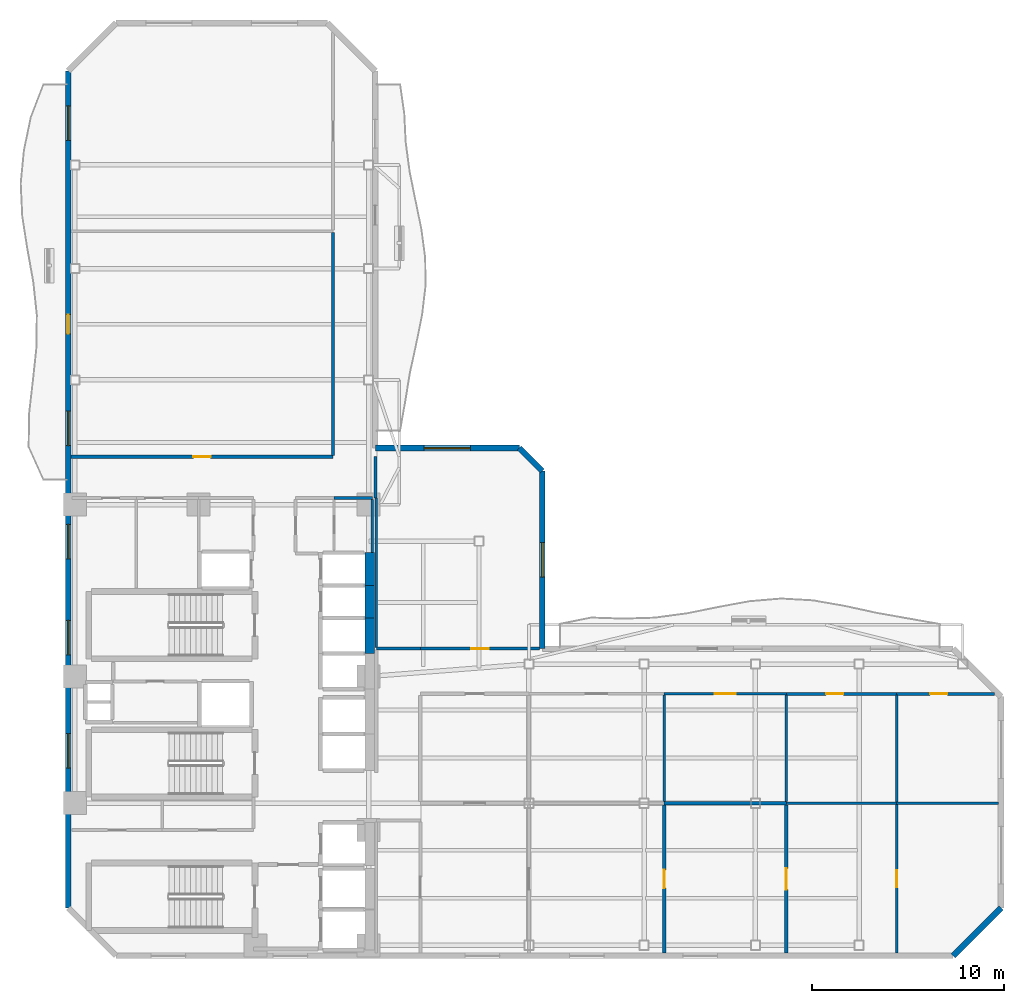
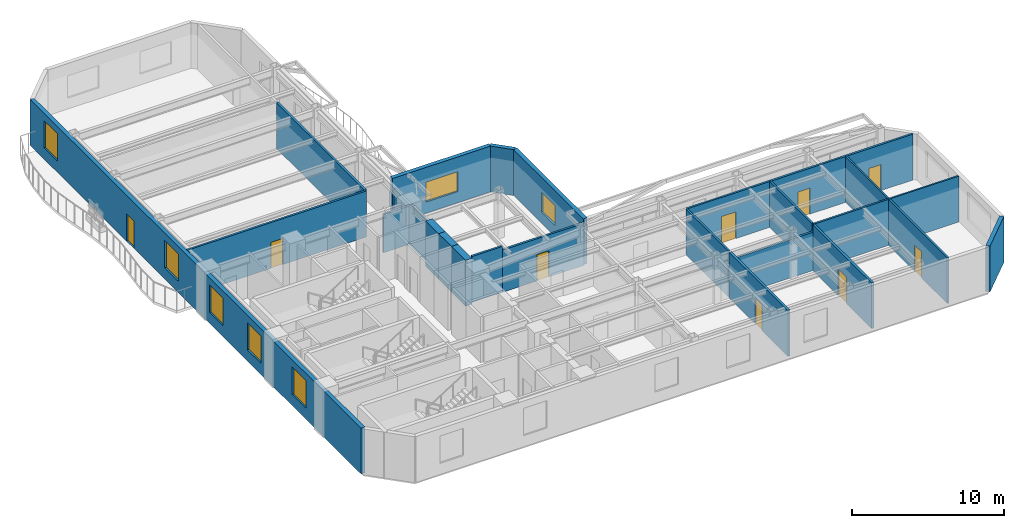
# One storey, part 5 of 9: 28 walls, 9 doors, 7 windows, 16 openings.
"""IFC4 building model written with IfcOpenShell, lengths in metres."""

from ifc_helpers import new_model, si_unit, direction, frame, frame_2d, origin, place, context, subcontext, project, spatial, rectangle, extrude, material, layer, layer_set, type_object, element, fill, save


model = new_model("IFC4")

# Units and contexts
model_context = context("Model", 3, precision=1e-05, world=origin(), true_north=direction((0.0, 1.0)))
body_context = subcontext(model_context, "Body", "Model", "MODEL_VIEW")
ifc_project = project(units=[si_unit("LENGTHUNIT", "METRE"), si_unit("AREAUNIT", "SQUARE_METRE"), si_unit("VOLUMEUNIT", "CUBIC_METRE"), si_unit("PLANEANGLEUNIT", "RADIAN"), si_unit("MASSUNIT", "GRAM", prefix="KILO")], contexts=[model_context])

# Site, building, storey
site_placement = place(None, origin())
site = spatial("IfcSite", under=ifc_project, at=site_placement, CompositionType="ELEMENT")
building_placement = place(site_placement, origin())
building = spatial("IfcBuilding", under=site, at=building_placement, Name="Mawjaban Terraces University", CompositionType="ELEMENT")
storey_placement = place(building_placement, frame((0.0, 0.0, 138.5)))
storey = spatial("IfcBuildingStorey", under=building, at=storey_placement, Name="L33", CompositionType="ELEMENT", Elevation=138.5)

# Wall
ifc_material_1 = material(Name="Acoustic masonry blockwork", Category="masonry")
ifc_layer_1 = layer(ifc_material_1, 0.179931640625)
ifc_layer_set_1 = layer_set([ifc_layer_1], Name="Acoustic masonry blockwork")
wall_type_1 = type_object("IfcWallType", Name="AcousticStudioWall_180", PredefinedType="PARTITIONING", material=ifc_layer_set_1)
wall_1_placement = place(storey_placement, frame((59.409912109375, 7.949951171875, 0.0), z_axis=(0.0, 0.0, 1.0), x_axis=(-1.0, 0.0, 0.0)))
element("IfcWall", 1, at=wall_1_placement, inside=storey, type_object=wall_type_1, Name="L33 Design Studio 6 Partition 23", PredefinedType="PARTITIONING", context=body_context, shape_type="SweptSolid", body=[
    extrude(rectangle(XDim=6.35986328125, YDim=0.179931640625, at=frame_2d((3.179931640625, 0.0))), origin(), (0.0, 0.0, 1.0), 3.072998046875),
])

# Wall, opening, door
wall_2_placement = place(storey_placement, frame((53.050048828125, 0.14501953125, 0.0), z_axis=(0.0, 0.0, 1.0), x_axis=(0.0, 1.0, 0.0)))
wall_2 = element("IfcWall", 2, at=wall_2_placement, inside=storey, type_object=wall_type_1, Name="L33 Computational Laboratory 4 Partition 47", PredefinedType="PARTITIONING", context=body_context, shape_type="SweptSolid", body=[
    extrude(rectangle(XDim=7.719970703125, YDim=0.179931640625, at=frame_2d((3.85986328125, 0.0))), origin(), (0.0, 0.0, 1.0), 3.68994140625),
])
opening_1_placement = place(wall_2_placement, frame((3.385009765625, 0.0, 0.0)))
opening_1 = element("IfcOpeningElement", 3, at=opening_1_placement, cuts=wall_2, Name="Opening ID-095", PredefinedType="OPENING", context=body_context, shape_type="SweptSolid", body=[
    extrude(rectangle(XDim=0.949951171875, YDim=2.10009765625, at=frame_2d((0.47509765625, 1.050048828125))), frame((0.0, 0.099853515625, 0.0), z_axis=(0.0, -1.0, 0.0), x_axis=(1.0, 0.0, 0.0)), (0.0, 0.0, 1.0), 0.199951171875),
])
ifc_material_2 = material(Name="Powder-coated steel frame and solid acoustic timber leaf", Category="steel")
door_type_1 = type_object("IfcDoorType", Name="StudioDoor_950x2100", OperationType="NOTDEFINED", PredefinedType="DOOR", material=ifc_material_2)
door_1_placement = place(opening_1_placement, origin())
door_1 = element("IfcDoor", 4, at=door_1_placement, inside=storey, type_object=door_type_1, Name="L33 Design Studio 6 Door", OperationType="SINGLE_SWING_LEFT", OverallHeight=2.10009765625, OverallWidth=0.949951171875, PredefinedType="DOOR", context=body_context, shape_type="SweptSolid", body=[
    extrude(rectangle(XDim=0.949951171875, YDim=2.10009765625, at=frame_2d((0.47509765625, 1.050048828125))), frame((0.0, 0.02490234375, 0.0), z_axis=(0.0, -1.0, 0.0), x_axis=(1.0, 0.0, 0.0)), (0.0, 0.0, 1.0), 0.050048828125),
])
fill(opening_1, door_1)

wall_3_placement = place(storey_placement, frame((59.409912109375, 0.14501953125, 0.0), z_axis=(0.0, 0.0, 1.0), x_axis=(0.0, 1.0, 0.0)))
wall_3 = element("IfcWall", 5, at=wall_3_placement, inside=storey, type_object=wall_type_1, Name="L33 Design Studio 6 Partition 49", PredefinedType="PARTITIONING", context=body_context, shape_type="SweptSolid", body=[
    extrude(rectangle(XDim=7.719970703125, YDim=0.179931640625, at=frame_2d((3.85986328125, 0.0))), origin(), (0.0, 0.0, 1.0), 3.68994140625),
])
opening_2_placement = place(wall_3_placement, frame((3.31005859375, 0.0, 0.0)))
opening_2 = element("IfcOpeningElement", 6, at=opening_2_placement, cuts=wall_3, Name="Opening ID-110", PredefinedType="OPENING", context=body_context, shape_type="SweptSolid", body=[
    extrude(rectangle(XDim=1.10009765625, YDim=2.14990234375, at=frame_2d((0.550048828125, 1.074951171875))), frame((0.0, 0.099853515625, 0.0), z_axis=(0.0, -1.0, 0.0), x_axis=(1.0, 0.0, 0.0)), (0.0, 0.0, 1.0), 0.199951171875),
])
door_type_2 = type_object("IfcDoorType", Name="LabDoor_1100x2150", OperationType="NOTDEFINED", PredefinedType="DOOR", material=ifc_material_2)
door_2_placement = place(opening_2_placement, origin())
door_2 = element("IfcDoor", 7, at=door_2_placement, inside=storey, type_object=door_type_2, Name="L33 Teaching Laboratory 8 Door", OperationType="SINGLE_SWING_RIGHT", OverallHeight=2.14990234375, OverallWidth=1.10009765625, PredefinedType="DOOR", context=body_context, shape_type="SweptSolid", body=[
    extrude(rectangle(XDim=1.10009765625, YDim=2.14990234375, at=frame_2d((0.550048828125, 1.074951171875))), frame((0.0, 0.02490234375, 0.0), z_axis=(0.0, -1.0, 0.0), x_axis=(1.0, 0.0, 0.0)), (0.0, 0.0, 1.0), 0.050048828125),
])
fill(opening_2, door_2)

# Walls
ifc_material_3 = material(Name="Concrete C60/75", Category="concrete")
ifc_layer_2 = layer(ifc_material_3, 0.5)
ifc_layer_set_2 = layer_set([ifc_layer_2], Name="Concrete C60/75")
wall_type_2 = type_object("IfcWallType", Name="CoreShearWall_500", PredefinedType="SHEAR", material=ifc_layer_set_2)
wall_4_placement = place(storey_placement, frame((37.699951171875, 15.75, 0.0), z_axis=(0.0, 0.0, 1.0), x_axis=(0.0, 1.0, 0.0)))
element("IfcWall", 8, at=wall_4_placement, inside=storey, type_object=wall_type_2, Name="L33 Lift OL-2 Hoistway Wall East", PredefinedType="SHEAR", context=body_context, shape_type="SweptSolid", body=[
    extrude(rectangle(XDim=1.85009765625, YDim=0.5, at=frame_2d((0.925048828125, 0.0))), origin(), (0.0, 0.0, 1.0), 3.68994140625),
])
for number, where, z_axis, x_axis, name in (
    (9, (37.699951171875, 17.60009765625, 0.0), (0.0, 0.0, 1.0), (0.0, 1.0, 0.0), "L33 Lift PL-M1 Hoistway Wall East"),
    (10, (37.699951171875, 19.300048828125, 0.0), (0.0, 0.0, 1.0), (0.0, 1.0, 0.0), "L33 Lift PL-M2 Hoistway Wall East"),
):
    element("IfcWall", number, at=place(storey_placement, frame(where, z_axis=z_axis, x_axis=x_axis)), inside=storey, type_object=wall_type_2, Name=name, PredefinedType="SHEAR", context=body_context, shape_type="SweptSolid", body=[
        extrude(rectangle(XDim=1.699951171875, YDim=0.5, at=frame_2d((0.85009765625, 0.0))), origin(), (0.0, 0.0, 1.0), 3.68994140625),
    ])

# Wall, opening, door
ifc_material_4 = material(Name="Fire-rated gypsum board on steel stud", Category="steel")
ifc_layer_3 = layer(ifc_material_4, 0.159912109375)
ifc_layer_set_3 = layer_set([ifc_layer_3], Name="Fire-rated gypsum board on steel stud")
wall_type_3 = type_object("IfcWallType", Name="CorridorPartition_160", PredefinedType="PARTITIONING", material=ifc_layer_set_3)
wall_5_placement = place(storey_placement, frame((35.800048828125, 26.0, 0.0), z_axis=(0.0, 0.0, 1.0), x_axis=(-1.0, 0.0, 0.0)))
wall_5 = element("IfcWall", 11, at=wall_5_placement, inside=storey, type_object=wall_type_3, Name="L33 North Core Cross-Corridor Partition 11", PredefinedType="PARTITIONING", context=body_context, shape_type="SweptSolid", body=[
    extrude(rectangle(XDim=13.655029296875, YDim=0.159912109375, at=frame_2d((6.82763671875, 0.0))), origin(), (0.0, 0.0, 1.0), 3.68994140625),
])
opening_3_placement = place(wall_5_placement, frame((6.376953125, 0.0, 0.0)))
opening_3 = element("IfcOpeningElement", 12, at=opening_3_placement, cuts=wall_5, Name="Opening ID-090", PredefinedType="OPENING", context=body_context, shape_type="SweptSolid", body=[
    extrude(rectangle(XDim=0.89990234375, YDim=2.10009765625, at=frame_2d((0.449951171875, 1.050048828125))), frame((0.0, 0.08984375, 0.0), z_axis=(0.0, -1.0, 0.0), x_axis=(1.0, 0.0, 0.0)), (0.0, 0.0, 1.0), 0.179931640625),
])
door_type_3 = type_object("IfcDoorType", Name="OfficeDoor_900x2100", OperationType="NOTDEFINED", PredefinedType="DOOR", material=ifc_material_2)
door_3_placement = place(opening_3_placement, origin())
door_3 = element("IfcDoor", 13, at=door_3_placement, inside=storey, type_object=door_type_3, Name="L33 Departmental Office 12 Door", OperationType="SINGLE_SWING_RIGHT", OverallHeight=2.10009765625, OverallWidth=0.89990234375, PredefinedType="DOOR", context=body_context, shape_type="SweptSolid", body=[
    extrude(rectangle(XDim=0.89990234375, YDim=2.10009765625, at=frame_2d((0.449951171875, 1.050048828125))), frame((0.0, 0.02490234375, 0.0), z_axis=(0.0, -1.0, 0.0), x_axis=(1.0, 0.0, 0.0)), (0.0, 0.0, 1.0), 0.050048828125),
])
fill(opening_3, door_3)

# Walls
wall_6_placement = place(storey_placement, frame((37.85009765625, 23.85009765625, 0.0), z_axis=(0.0, 0.0, 1.0), x_axis=(-1.0, 0.0, 0.0)))
element("IfcWall", 14, at=wall_6_placement, inside=storey, type_object=wall_type_3, Name="L33 Faculty Archive Closet Partition 14", PredefinedType="PARTITIONING", context=body_context, shape_type="SweptSolid", body=[
    extrude(rectangle(XDim=2.0, YDim=0.159912109375, at=frame_2d((1.0, 0.0))), origin(), (0.0, 0.0, 1.0), 3.072998046875),
])
wall_7_placement = place(storey_placement, frame((40.35009765625, 16.0, 0.0), z_axis=(0.0, 0.0, 1.0), x_axis=(-1.0, 0.0, 0.0)))
element("IfcWall", 15, at=wall_7_placement, inside=storey, type_object=wall_type_3, Name="L33 Inner Gallery Link Corridor Partition 17", PredefinedType="PARTITIONING", context=body_context, shape_type="SweptSolid", body=[
    extrude(rectangle(XDim=2.300048828125, YDim=0.159912109375, at=frame_2d((1.14990234375, 0.0))), origin(), (0.0, 0.0, 1.0), 3.68994140625),
])

# Wall, opening, door
wall_8_placement = place(storey_placement, frame((40.35009765625, 16.0, 0.0), z_axis=(0.0, 0.0, 1.0), x_axis=(1.0, 0.0, 0.0)))
wall_8 = element("IfcWall", 16, at=wall_8_placement, inside=storey, type_object=wall_type_3, Name="L33 Terrace Collaborative Study Room Partition 18", PredefinedType="PARTITIONING", context=body_context, shape_type="SweptSolid", body=[
    extrude(rectangle(XDim=6.203857421875, YDim=0.159912109375, at=frame_2d((3.10205078125, 0.0))), origin(), (0.0, 0.0, 1.0), 3.389892578125),
])
opening_4_placement = place(wall_8_placement, frame((2.652099609375, 0.0, 0.0)))
opening_4 = element("IfcOpeningElement", 17, at=opening_4_placement, cuts=wall_8, Name="Opening ID-090", PredefinedType="OPENING", context=body_context, shape_type="SweptSolid", body=[
    extrude(rectangle(XDim=0.89990234375, YDim=2.10009765625, at=frame_2d((0.449951171875, 1.050048828125))), frame((0.0, 0.08984375, 0.0), z_axis=(0.0, -1.0, 0.0), x_axis=(1.0, 0.0, 0.0)), (0.0, 0.0, 1.0), 0.179931640625),
])
door_4_placement = place(opening_4_placement, origin())
door_4 = element("IfcDoor", 18, at=door_4_placement, inside=storey, type_object=door_type_3, Name="L33 Terrace Collaborative Study Room Door", OperationType="SINGLE_SWING_RIGHT", OverallHeight=2.10009765625, OverallWidth=0.89990234375, PredefinedType="DOOR", context=body_context, shape_type="SweptSolid", body=[
    extrude(rectangle(XDim=0.89990234375, YDim=2.10009765625, at=frame_2d((0.449951171875, 1.050048828125))), frame((0.0, 0.02490234375, 0.0), z_axis=(0.0, -1.0, 0.0), x_axis=(1.0, 0.0, 0.0)), (0.0, 0.0, 1.0), 0.050048828125),
])
fill(opening_4, door_4)

wall_9_placement = place(storey_placement, frame((59.409912109375, 13.64990234375, 0.0), z_axis=(0.0, 0.0, 1.0), x_axis=(1.0, 0.0, 0.0)))
wall_9 = element("IfcWall", 19, at=wall_9_placement, inside=storey, type_object=wall_type_3, Name="L33 Inner Terrace Gallery Corridor East Partition 24", PredefinedType="PARTITIONING", context=body_context, shape_type="SweptSolid", body=[
    extrude(rectangle(XDim=5.75, YDim=0.159912109375, at=frame_2d((2.875, 0.0))), origin(), (0.0, 0.0, 1.0), 3.68994140625),
])
opening_5_placement = place(wall_9_placement, frame((2.074951171875, 0.0, 0.0)))
opening_5 = element("IfcOpeningElement", 20, at=opening_5_placement, cuts=wall_9, Name="Opening ID-090", PredefinedType="OPENING", context=body_context, shape_type="SweptSolid", body=[
    extrude(rectangle(XDim=0.89990234375, YDim=2.10009765625, at=frame_2d((0.449951171875, 1.050048828125))), frame((0.0, 0.08984375, 0.0), z_axis=(0.0, -1.0, 0.0), x_axis=(1.0, 0.0, 0.0)), (0.0, 0.0, 1.0), 0.179931640625),
])
door_5_placement = place(opening_5_placement, origin())
door_5 = element("IfcDoor", 21, at=door_5_placement, inside=storey, type_object=door_type_3, Name="L33 Student Tea Pantry 9 Door", OperationType="SINGLE_SWING_RIGHT", OverallHeight=2.10009765625, OverallWidth=0.89990234375, PredefinedType="DOOR", context=body_context, shape_type="SweptSolid", body=[
    extrude(rectangle(XDim=0.89990234375, YDim=2.10009765625, at=frame_2d((0.449951171875, 1.050048828125))), frame((0.0, 0.02490234375, 0.0), z_axis=(0.0, -1.0, 0.0), x_axis=(1.0, 0.0, 0.0)), (0.0, 0.0, 1.0), 0.050048828125),
])
fill(opening_5, door_5)

wall_10_placement = place(storey_placement, frame((65.159912109375, 13.64990234375, 0.0), z_axis=(0.0, 0.0, 1.0), x_axis=(1.0, 0.0, 0.0)))
wall_10 = element("IfcWall", 22, at=wall_10_placement, inside=storey, type_object=wall_type_3, Name="L33 Inner Terrace Gallery Corridor East Partition 26", PredefinedType="PARTITIONING", context=body_context, shape_type="SweptSolid", body=[
    extrude(rectangle(XDim=5.085205078125, YDim=0.159912109375, at=frame_2d((2.54248046875, 0.0))), origin(), (0.0, 0.0, 1.0), 3.68994140625),
])
opening_6_placement = place(wall_10_placement, frame((1.742919921875, 0.0, 0.0)))
opening_6 = element("IfcOpeningElement", 23, at=opening_6_placement, cuts=wall_10, Name="Opening ID-090", PredefinedType="OPENING", context=body_context, shape_type="SweptSolid", body=[
    extrude(rectangle(XDim=0.89990234375, YDim=2.10009765625, at=frame_2d((0.449951171875, 1.050048828125))), frame((0.0, 0.08984375, 0.0), z_axis=(0.0, -1.0, 0.0), x_axis=(1.0, 0.0, 0.0)), (0.0, 0.0, 1.0), 0.179931640625),
])
door_6_placement = place(opening_6_placement, origin())
door_6 = element("IfcDoor", 24, at=door_6_placement, inside=storey, type_object=door_type_3, Name="L33 Faculty Office 11 Door", OperationType="SINGLE_SWING_LEFT", OverallHeight=2.10009765625, OverallWidth=0.89990234375, PredefinedType="DOOR", context=body_context, shape_type="SweptSolid", body=[
    extrude(rectangle(XDim=0.89990234375, YDim=2.10009765625, at=frame_2d((0.449951171875, 1.050048828125))), frame((0.0, 0.02490234375, 0.0), z_axis=(0.0, -1.0, 0.0), x_axis=(1.0, 0.0, 0.0)), (0.0, 0.0, 1.0), 0.050048828125),
])
fill(opening_6, door_6)

# Walls
wall_11_placement = place(storey_placement, frame((35.800048828125, 37.693115234375, 0.0), z_axis=(0.0, 0.0, 1.0), x_axis=(0.0, -1.0, 0.0)))
element("IfcWall", 25, at=wall_11_placement, inside=storey, type_object=wall_type_3, Name="L33 Inner Terrace Gallery Corridor North Partition 35", PredefinedType="PARTITIONING", context=body_context, shape_type="SweptSolid", body=[
    extrude(rectangle(XDim=11.6181640625, YDim=0.159912109375, at=frame_2d((5.80908203125, 0.0))), origin(), (0.0, 0.0, 1.0), 3.68994140625),
])
wall_12_placement = place(storey_placement, frame((38.0, 23.85009765625, 0.0), z_axis=(0.0, 0.0, 1.0), x_axis=(0.0, 1.0, 0.0)))
element("IfcWall", 26, at=wall_12_placement, inside=storey, type_object=wall_type_3, Name="L33 North Core Cross-Corridor Partition 39", PredefinedType="PARTITIONING", context=body_context, shape_type="SweptSolid", body=[
    extrude(rectangle(XDim=2.14990234375, YDim=0.159912109375, at=frame_2d((1.074951171875, 0.0))), origin(), (0.0, 0.0, 1.0), 3.072998046875),
])
ifc_material_5 = material(Name="Insulated terracotta rainscreen on concrete backup C40/50", Category="masonry")
ifc_layer_4 = layer(ifc_material_5, 0.300048828125)
ifc_layer_set_4 = layer_set([ifc_layer_4], Name="Insulated terracotta rainscreen on concrete backup C40/50")
wall_type_4 = type_object("IfcWallType", Name="ExtTerracottaWall_300", PredefinedType="SOLIDWALL", material=ifc_layer_set_4)
wall_13_placement = place(storey_placement, frame((68.10009765625, 0.0, 0.0), z_axis=(0.0, 0.0, 1.0), x_axis=(0.707106781187, 0.707106781187, 0.0)))
element("IfcWall", 27, at=wall_13_placement, inside=storey, type_object=wall_type_4, Name="L33 Exterior Terracotta Wall 2", PredefinedType="SOLIDWALL", context=body_context, shape_type="SweptSolid", body=[
    extrude(rectangle(XDim=3.53564453125, YDim=0.300048828125, at=frame_2d((1.767822265625, 0.0))), origin(), (0.0, 0.0, 1.0), 3.68994140625),
])

# Wall, opening, window
wall_14_placement = place(storey_placement, frame((46.698974609375, 16.0, 0.0), z_axis=(0.0, 0.0, 1.0), x_axis=(0.0, 1.0, 0.0)))
wall_14 = element("IfcWall", 28, at=wall_14_placement, inside=storey, type_object=wall_type_4, Name="L33 Exterior Terracotta Wall 6", PredefinedType="SOLIDWALL", context=body_context, shape_type="SweptSolid", body=[
    extrude(rectangle(XDim=9.25, YDim=0.300048828125, at=frame_2d((4.625, 0.0))), origin(), (0.0, 0.0, 1.0), 3.68994140625),
])
opening_7_placement = place(wall_14_placement, frame((3.72509765625, 0.0, 0.89990234375)))
opening_7 = element("IfcOpeningElement", 29, at=opening_7_placement, cuts=wall_14, Name="Opening W-03", PredefinedType="OPENING", context=body_context, shape_type="SweptSolid", body=[
    extrude(rectangle(XDim=1.800048828125, YDim=1.60009765625, at=frame_2d((0.89990234375, 0.800048828125))), frame((0.0, 0.159912109375, 0.0), z_axis=(0.0, -1.0, 0.0), x_axis=(1.0, 0.0, 0.0)), (0.0, 0.0, 1.0), 0.320068359375),
])
ifc_material_6 = material(Name="Low-E solar-control double glazing in thermally broken aluminium frame", Category="aluminium")
window_type_1 = type_object("IfcWindowType", Name="Win_1800x1600", PartitioningType="SINGLE_PANEL", PredefinedType="WINDOW", material=ifc_material_6)
window_1_placement = place(opening_7_placement, origin())
window_1 = element("IfcWindow", 30, at=window_1_placement, inside=storey, type_object=window_type_1, Name="L33 Facade Window 6.1", OverallHeight=1.60009765625, OverallWidth=1.800048828125, PartitioningType="SINGLE_PANEL", PredefinedType="WINDOW", context=body_context, shape_type="SweptSolid", body=[
    extrude(rectangle(XDim=1.800048828125, YDim=1.60009765625, at=frame_2d((0.89990234375, 0.800048828125))), frame((0.0, 0.030029296875, 0.0), z_axis=(0.0, -1.0, 0.0), x_axis=(1.0, 0.0, 0.0)), (0.0, 0.0, 1.0), 0.06005859375),
])
fill(opening_7, window_1)

# Wall
wall_15_placement = place(storey_placement, frame((46.698974609375, 25.25, 0.0), z_axis=(0.0, 0.0, 1.0), x_axis=(-0.707106781187, 0.707106781187, 0.0)))
element("IfcWall", 31, at=wall_15_placement, inside=storey, type_object=wall_type_4, Name="L33 Exterior Terracotta Wall 7", PredefinedType="SOLIDWALL", context=body_context, shape_type="SweptSolid", body=[
    extrude(rectangle(XDim=1.697021484375, YDim=0.300048828125, at=frame_2d((0.8486328125, 0.0))), origin(), (0.0, 0.0, 1.0), 3.68994140625),
])

# Wall, opening, window
wall_16_placement = place(storey_placement, frame((45.4990234375, 26.449951171875, 0.0), z_axis=(0.0, 0.0, 1.0), x_axis=(-1.0, 0.0, 0.0)))
wall_16 = element("IfcWall", 32, at=wall_16_placement, inside=storey, type_object=wall_type_4, Name="L33 Exterior Terracotta Wall 8", PredefinedType="SOLIDWALL", context=body_context, shape_type="SweptSolid", body=[
    extrude(rectangle(XDim=7.4990234375, YDim=0.300048828125, at=frame_2d((3.74951171875, 0.0))), origin(), (0.0, 0.0, 1.0), 3.68994140625),
])
opening_8_placement = place(wall_16_placement, frame((2.550048828125, 0.0, 0.89990234375)))
opening_8 = element("IfcOpeningElement", 33, at=opening_8_placement, cuts=wall_16, Name="Opening W-05", PredefinedType="OPENING", context=body_context, shape_type="SweptSolid", body=[
    extrude(rectangle(XDim=2.39990234375, YDim=1.60009765625, at=frame_2d((1.199951171875, 0.800048828125))), frame((0.0, 0.159912109375, 0.0), z_axis=(0.0, -1.0, 0.0), x_axis=(1.0, 0.0, 0.0)), (0.0, 0.0, 1.0), 0.320068359375),
])
window_type_2 = type_object("IfcWindowType", Name="Win_2400x1600", PartitioningType="SINGLE_PANEL", PredefinedType="WINDOW", material=ifc_material_6)
window_2_placement = place(opening_8_placement, origin())
window_2 = element("IfcWindow", 34, at=window_2_placement, inside=storey, type_object=window_type_2, Name="L33 Facade Window 8.1", OverallHeight=1.60009765625, OverallWidth=2.39990234375, PartitioningType="SINGLE_PANEL", PredefinedType="WINDOW", context=body_context, shape_type="SweptSolid", body=[
    extrude(rectangle(XDim=2.39990234375, YDim=1.60009765625, at=frame_2d((1.199951171875, 0.800048828125))), frame((0.0, 0.030029296875, 0.0), z_axis=(0.0, -1.0, 0.0), x_axis=(1.0, 0.0, 0.0)), (0.0, 0.0, 1.0), 0.06005859375),
])
fill(opening_8, window_2)

# Wall, openings, door, windows
wall_17_placement = place(storey_placement, frame((22.0, 46.10009765625, 0.0), z_axis=(0.0, 0.0, 1.0), x_axis=(0.0, -1.0, 0.0)))
wall_17 = element("IfcWall", 35, at=wall_17_placement, inside=storey, type_object=wall_type_4, Name="L33 Exterior Terracotta Wall 13", PredefinedType="SOLIDWALL", context=body_context, shape_type="SweptSolid", body=[
    extrude(rectangle(XDim=43.60009765625, YDim=0.300048828125, at=frame_2d((21.800048828125, 0.0))), origin(), (0.0, 0.0, 1.0), 3.68994140625),
])
opening_9_placement = place(wall_17_placement, frame((12.699951171875, 0.0, 0.0)))
opening_9 = element("IfcOpeningElement", 36, at=opening_9_placement, cuts=wall_17, Name="Opening BD-100", PredefinedType="OPENING", context=body_context, shape_type="SweptSolid", body=[
    extrude(rectangle(XDim=1.0, YDim=2.199951171875, at=frame_2d((0.5, 1.10009765625))), frame((0.0, 0.159912109375, 0.0), z_axis=(0.0, -1.0, 0.0), x_axis=(1.0, 0.0, 0.0)), (0.0, 0.0, 1.0), 0.320068359375),
])
opening_10_placement = place(wall_17_placement, frame((1.824951171875, 0.0, 0.89990234375)))
opening_10 = element("IfcOpeningElement", 37, at=opening_10_placement, cuts=wall_17, Name="Opening W-10", PredefinedType="OPENING", context=body_context, shape_type="SweptSolid", body=[
    extrude(rectangle(XDim=1.800048828125, YDim=2.199951171875, at=frame_2d((0.89990234375, 1.10009765625))), frame((0.0, 0.159912109375, 0.0), z_axis=(0.0, -1.0, 0.0), x_axis=(1.0, 0.0, 0.0)), (0.0, 0.0, 1.0), 0.320068359375),
])
opening_11_placement = place(wall_17_placement, frame((17.72509765625, 0.0, 0.89990234375)))
opening_11 = element("IfcOpeningElement", 38, at=opening_11_placement, cuts=wall_17, Name="Opening W-10", PredefinedType="OPENING", context=body_context, shape_type="SweptSolid", body=[
    extrude(rectangle(XDim=1.800048828125, YDim=2.199951171875, at=frame_2d((0.89990234375, 1.10009765625))), frame((0.0, 0.159912109375, 0.0), z_axis=(0.0, -1.0, 0.0), x_axis=(1.0, 0.0, 0.0)), (0.0, 0.0, 1.0), 0.320068359375),
])
opening_12_placement = place(wall_17_placement, frame((23.625, 0.0, 0.89990234375)))
opening_12 = element("IfcOpeningElement", 39, at=opening_12_placement, cuts=wall_17, Name="Opening W-10", PredefinedType="OPENING", context=body_context, shape_type="SweptSolid", body=[
    extrude(rectangle(XDim=1.800048828125, YDim=2.199951171875, at=frame_2d((0.89990234375, 1.10009765625))), frame((0.0, 0.159912109375, 0.0), z_axis=(0.0, -1.0, 0.0), x_axis=(1.0, 0.0, 0.0)), (0.0, 0.0, 1.0), 0.320068359375),
])
opening_13_placement = place(wall_17_placement, frame((28.625, 0.0, 0.89990234375)))
opening_13 = element("IfcOpeningElement", 40, at=opening_13_placement, cuts=wall_17, Name="Opening W-10", PredefinedType="OPENING", context=body_context, shape_type="SweptSolid", body=[
    extrude(rectangle(XDim=1.800048828125, YDim=2.199951171875, at=frame_2d((0.89990234375, 1.10009765625))), frame((0.0, 0.159912109375, 0.0), z_axis=(0.0, -1.0, 0.0), x_axis=(1.0, 0.0, 0.0)), (0.0, 0.0, 1.0), 0.320068359375),
])
opening_14_placement = place(wall_17_placement, frame((34.52490234375, 0.0, 0.89990234375)))
opening_14 = element("IfcOpeningElement", 41, at=opening_14_placement, cuts=wall_17, Name="Opening W-10", PredefinedType="OPENING", context=body_context, shape_type="SweptSolid", body=[
    extrude(rectangle(XDim=1.800048828125, YDim=2.199951171875, at=frame_2d((0.89990234375, 1.10009765625))), frame((0.0, 0.159912109375, 0.0), z_axis=(0.0, -1.0, 0.0), x_axis=(1.0, 0.0, 0.0)), (0.0, 0.0, 1.0), 0.320068359375),
])
ifc_material_7 = material(Name="Thermally broken anodised aluminium and laminated safety glass", Category="aluminium")
door_type_4 = type_object("IfcDoorType", Name="BalconyGlazedDoor_1000x2200", OperationType="NOTDEFINED", PredefinedType="DOOR", material=ifc_material_7)
door_7_placement = place(opening_9_placement, origin())
door_7 = element("IfcDoor", 42, at=door_7_placement, inside=storey, type_object=door_type_4, Name="L33 Balcony Access Door west", OperationType="SINGLE_SWING_RIGHT", OverallHeight=2.199951171875, OverallWidth=1.0, PredefinedType="DOOR", context=body_context, shape_type="SweptSolid", body=[
    extrude(rectangle(XDim=1.0, YDim=2.199951171875, at=frame_2d((0.5, 1.10009765625))), frame((0.0, 0.02490234375, 0.0), z_axis=(0.0, -1.0, 0.0), x_axis=(1.0, 0.0, 0.0)), (0.0, 0.0, 1.0), 0.050048828125),
])
fill(opening_9, door_7)
window_type_3 = type_object("IfcWindowType", Name="Win_1800x2200", PartitioningType="SINGLE_PANEL", PredefinedType="WINDOW", material=ifc_material_6)
window_3_placement = place(opening_10_placement, origin())
window_3 = element("IfcWindow", 43, at=window_3_placement, inside=storey, type_object=window_type_3, Name="L33 Facade Window 13.1", OverallHeight=2.199951171875, OverallWidth=1.800048828125, PartitioningType="SINGLE_PANEL", PredefinedType="WINDOW", context=body_context, shape_type="SweptSolid", body=[
    extrude(rectangle(XDim=1.800048828125, YDim=2.199951171875, at=frame_2d((0.89990234375, 1.10009765625))), frame((0.0, 0.030029296875, 0.0), z_axis=(0.0, -1.0, 0.0), x_axis=(1.0, 0.0, 0.0)), (0.0, 0.0, 1.0), 0.06005859375),
])
fill(opening_10, window_3)
window_4_placement = place(opening_11_placement, origin())
window_4 = element("IfcWindow", 44, at=window_4_placement, inside=storey, type_object=window_type_3, Name="L33 Facade Window 13.4", OverallHeight=2.199951171875, OverallWidth=1.800048828125, PartitioningType="SINGLE_PANEL", PredefinedType="WINDOW", context=body_context, shape_type="SweptSolid", body=[
    extrude(rectangle(XDim=1.800048828125, YDim=2.199951171875, at=frame_2d((0.89990234375, 1.10009765625))), frame((0.0, 0.030029296875, 0.0), z_axis=(0.0, -1.0, 0.0), x_axis=(1.0, 0.0, 0.0)), (0.0, 0.0, 1.0), 0.06005859375),
])
fill(opening_11, window_4)
window_5_placement = place(opening_12_placement, origin())
window_5 = element("IfcWindow", 45, at=window_5_placement, inside=storey, type_object=window_type_3, Name="L33 Facade Window 13.5", OverallHeight=2.199951171875, OverallWidth=1.800048828125, PartitioningType="SINGLE_PANEL", PredefinedType="WINDOW", context=body_context, shape_type="SweptSolid", body=[
    extrude(rectangle(XDim=1.800048828125, YDim=2.199951171875, at=frame_2d((0.89990234375, 1.10009765625))), frame((0.0, 0.030029296875, 0.0), z_axis=(0.0, -1.0, 0.0), x_axis=(1.0, 0.0, 0.0)), (0.0, 0.0, 1.0), 0.06005859375),
])
fill(opening_12, window_5)
window_6_placement = place(opening_13_placement, origin())
window_6 = element("IfcWindow", 46, at=window_6_placement, inside=storey, type_object=window_type_3, Name="L33 Facade Window 13.6", OverallHeight=2.199951171875, OverallWidth=1.800048828125, PartitioningType="SINGLE_PANEL", PredefinedType="WINDOW", context=body_context, shape_type="SweptSolid", body=[
    extrude(rectangle(XDim=1.800048828125, YDim=2.199951171875, at=frame_2d((0.89990234375, 1.10009765625))), frame((0.0, 0.030029296875, 0.0), z_axis=(0.0, -1.0, 0.0), x_axis=(1.0, 0.0, 0.0)), (0.0, 0.0, 1.0), 0.06005859375),
])
fill(opening_13, window_6)
window_7_placement = place(opening_14_placement, origin())
window_7 = element("IfcWindow", 47, at=window_7_placement, inside=storey, type_object=window_type_3, Name="L33 Facade Window 13.7", OverallHeight=2.199951171875, OverallWidth=1.800048828125, PartitioningType="SINGLE_PANEL", PredefinedType="WINDOW", context=body_context, shape_type="SweptSolid", body=[
    extrude(rectangle(XDim=1.800048828125, YDim=2.199951171875, at=frame_2d((0.89990234375, 1.10009765625))), frame((0.0, 0.030029296875, 0.0), z_axis=(0.0, -1.0, 0.0), x_axis=(1.0, 0.0, 0.0)), (0.0, 0.0, 1.0), 0.06005859375),
])
fill(opening_14, window_7)

# Wall, opening, door
ifc_material_8 = material(Name="Moisture-resistant gypsum board on steel stud", Category="steel")
ifc_layer_5 = layer(ifc_material_8, 0.14501953125)
ifc_layer_set_5 = layer_set([ifc_layer_5], Name="Moisture-resistant gypsum board on steel stud")
wall_type_5 = type_object("IfcWallType", Name="LabPartition_145", PredefinedType="PARTITIONING", material=ifc_layer_set_5)
wall_18_placement = place(storey_placement, frame((53.050048828125, 13.64990234375, 0.0), z_axis=(0.0, 0.0, 1.0), x_axis=(1.0, 0.0, 0.0)))
wall_18 = element("IfcWall", 48, at=wall_18_placement, inside=storey, type_object=wall_type_5, Name="L33 Inner Terrace Gallery Corridor East Partition 22", PredefinedType="PARTITIONING", context=body_context, shape_type="SweptSolid", body=[
    extrude(rectangle(XDim=6.35986328125, YDim=0.14501953125, at=frame_2d((3.179931640625, 0.0))), origin(), (0.0, 0.0, 1.0), 3.68994140625),
])
opening_15_placement = place(wall_18_placement, frame((2.6298828125, 0.0, 0.0)))
opening_15 = element("IfcOpeningElement", 49, at=opening_15_placement, cuts=wall_18, Name="Opening ID-110", PredefinedType="OPENING", context=body_context, shape_type="SweptSolid", body=[
    extrude(rectangle(XDim=1.10009765625, YDim=2.14990234375, at=frame_2d((0.550048828125, 1.074951171875))), frame((0.0, 0.08251953125, 0.0), z_axis=(0.0, -1.0, 0.0), x_axis=(1.0, 0.0, 0.0)), (0.0, 0.0, 1.0), 0.1650390625),
])
door_8_placement = place(opening_15_placement, origin())
door_8 = element("IfcDoor", 50, at=door_8_placement, inside=storey, type_object=door_type_2, Name="L33 Computational Laboratory 7 Door", OperationType="SINGLE_SWING_LEFT", OverallHeight=2.14990234375, OverallWidth=1.10009765625, PredefinedType="DOOR", context=body_context, shape_type="SweptSolid", body=[
    extrude(rectangle(XDim=1.10009765625, YDim=2.14990234375, at=frame_2d((0.550048828125, 1.074951171875))), frame((0.0, 0.02490234375, 0.0), z_axis=(0.0, -1.0, 0.0), x_axis=(1.0, 0.0, 0.0)), (0.0, 0.0, 1.0), 0.050048828125),
])
fill(opening_15, door_8)

# Walls
wall_19_placement = place(storey_placement, frame((65.159912109375, 7.949951171875, 0.0), z_axis=(0.0, 0.0, 1.0), x_axis=(-1.0, 0.0, 0.0)))
element("IfcWall", 51, at=wall_19_placement, inside=storey, type_object=wall_type_5, Name="L33 Teaching Laboratory 8 Partition 25", PredefinedType="PARTITIONING", context=body_context, shape_type="SweptSolid", body=[
    extrude(rectangle(XDim=5.75, YDim=0.14501953125, at=frame_2d((2.875, 0.0))), origin(), (0.0, 0.0, 1.0), 3.68994140625),
])
wall_20_placement = place(storey_placement, frame((53.050048828125, 8.034912109375, 0.0), z_axis=(0.0, 0.0, 1.0), x_axis=(0.0, 1.0, 0.0)))
element("IfcWall", 52, at=wall_20_placement, inside=storey, type_object=wall_type_5, Name="L33 Teaching Laboratory 5 Partition 48", PredefinedType="PARTITIONING", context=body_context, shape_type="SweptSolid", body=[
    extrude(rectangle(XDim=5.547119140625, YDim=0.14501953125, at=frame_2d((2.7734375, 0.0))), origin(), (0.0, 0.0, 1.0), 3.68994140625),
])
wall_21_placement = place(storey_placement, frame((59.409912109375, 8.034912109375, 0.0), z_axis=(0.0, 0.0, 1.0), x_axis=(0.0, 1.0, 0.0)))
element("IfcWall", 53, at=wall_21_placement, inside=storey, type_object=wall_type_5, Name="L33 Computational Laboratory 7 Partition 50", PredefinedType="PARTITIONING", context=body_context, shape_type="SweptSolid", body=[
    extrude(rectangle(XDim=5.5400390625, YDim=0.14501953125, at=frame_2d((2.77001953125, 0.0))), origin(), (0.0, 0.0, 1.0), 3.68994140625),
])

# Wall, opening, door
wall_22_placement = place(storey_placement, frame((65.159912109375, 0.14501953125, 0.0), z_axis=(0.0, 0.0, 1.0), x_axis=(0.0, 1.0, 0.0)))
wall_22 = element("IfcWall", 54, at=wall_22_placement, inside=storey, type_object=wall_type_5, Name="L33 Teaching Laboratory 8 Partition 51", PredefinedType="PARTITIONING", context=body_context, shape_type="SweptSolid", body=[
    extrude(rectangle(XDim=7.738037109375, YDim=0.14501953125, at=frame_2d((3.869140625, 0.0))), origin(), (0.0, 0.0, 1.0), 3.68994140625),
])
opening_16_placement = place(wall_22_placement, frame((3.4189453125, 0.0, 0.0)))
opening_16 = element("IfcOpeningElement", 55, at=opening_16_placement, cuts=wall_22, Name="Opening ID-090", PredefinedType="OPENING", context=body_context, shape_type="SweptSolid", body=[
    extrude(rectangle(XDim=0.89990234375, YDim=2.10009765625, at=frame_2d((0.449951171875, 1.050048828125))), frame((0.0, 0.08251953125, 0.0), z_axis=(0.0, -1.0, 0.0), x_axis=(1.0, 0.0, 0.0)), (0.0, 0.0, 1.0), 0.1650390625),
])
door_9_placement = place(opening_16_placement, origin())
door_9 = element("IfcDoor", 56, at=door_9_placement, inside=storey, type_object=door_type_3, Name="L33 Student Tea Pantry 10 Door", OperationType="SINGLE_SWING_LEFT", OverallHeight=2.10009765625, OverallWidth=0.89990234375, PredefinedType="DOOR", context=body_context, shape_type="SweptSolid", body=[
    extrude(rectangle(XDim=0.89990234375, YDim=2.10009765625, at=frame_2d((0.449951171875, 1.050048828125))), frame((0.0, 0.02490234375, 0.0), z_axis=(0.0, -1.0, 0.0), x_axis=(1.0, 0.0, 0.0)), (0.0, 0.0, 1.0), 0.050048828125),
])
fill(opening_16, door_9)

# Walls
ifc_material_9 = material(Name="Gypsum plasterboard on steel stud", Category="steel")
ifc_layer_6 = layer(ifc_material_9, 0.125)
ifc_layer_set_6 = layer_set([ifc_layer_6], Name="Gypsum plasterboard on steel stud")
wall_type_6 = type_object("IfcWallType", Name="OfficePartition_125", PredefinedType="PARTITIONING", material=ifc_layer_set_6)
wall_23_placement = place(storey_placement, frame((70.455078125, 7.949951171875, 0.0), z_axis=(0.0, 0.0, 1.0), x_axis=(-1.0, 0.0, 0.0)))
element("IfcWall", 57, at=wall_23_placement, inside=storey, type_object=wall_type_6, Name="L33 Student Tea Pantry 10 Partition 27", PredefinedType="PARTITIONING", context=body_context, shape_type="SweptSolid", body=[
    extrude(rectangle(XDim=5.295166015625, YDim=0.125, at=frame_2d((2.6474609375, 0.0))), origin(), (0.0, 0.0, 1.0), 3.68994140625),
])
wall_24_placement = place(storey_placement, frame((37.85009765625, 21.0, 0.0), z_axis=(0.0, 0.0, 1.0), x_axis=(0.0, 1.0, 0.0)))
element("IfcWall", 58, at=wall_24_placement, inside=storey, type_object=wall_type_6, Name="L33 Faculty Archive Closet Partition 38", PredefinedType="PARTITIONING", context=body_context, shape_type="SweptSolid", body=[
    extrude(rectangle(XDim=2.77490234375, YDim=0.125, at=frame_2d((1.387451171875, 0.0))), origin(), (0.0, 0.0, 1.0), 3.072998046875),
])
wall_25_placement = place(storey_placement, frame((38.050048828125, 23.85009765625, 0.0), z_axis=(0.0, 0.0, 1.0), x_axis=(0.0, -1.0, 0.0)))
element("IfcWall", 59, at=wall_25_placement, inside=storey, type_object=wall_type_6, Name="L33 Terrace Collaborative Study Room Partition 42", PredefinedType="PARTITIONING", context=body_context, shape_type="SweptSolid", body=[
    extrude(rectangle(XDim=7.775146484375, YDim=0.125, at=frame_2d((3.8876953125, 0.0))), origin(), (0.0, 0.0, 1.0), 3.072998046875),
])
wall_26_placement = place(storey_placement, frame((65.159912109375, 8.01806640625, 0.0), z_axis=(0.0, 0.0, 1.0), x_axis=(0.0, 1.0, 0.0)))
element("IfcWall", 60, at=wall_26_placement, inside=storey, type_object=wall_type_6, Name="L33 Student Tea Pantry 9 Partition 52", PredefinedType="PARTITIONING", context=body_context, shape_type="SweptSolid", body=[
    extrude(rectangle(XDim=5.556884765625, YDim=0.125, at=frame_2d((2.7783203125, 0.0))), origin(), (0.0, 0.0, 1.0), 3.68994140625),
])

save(model, "model.ifc")
